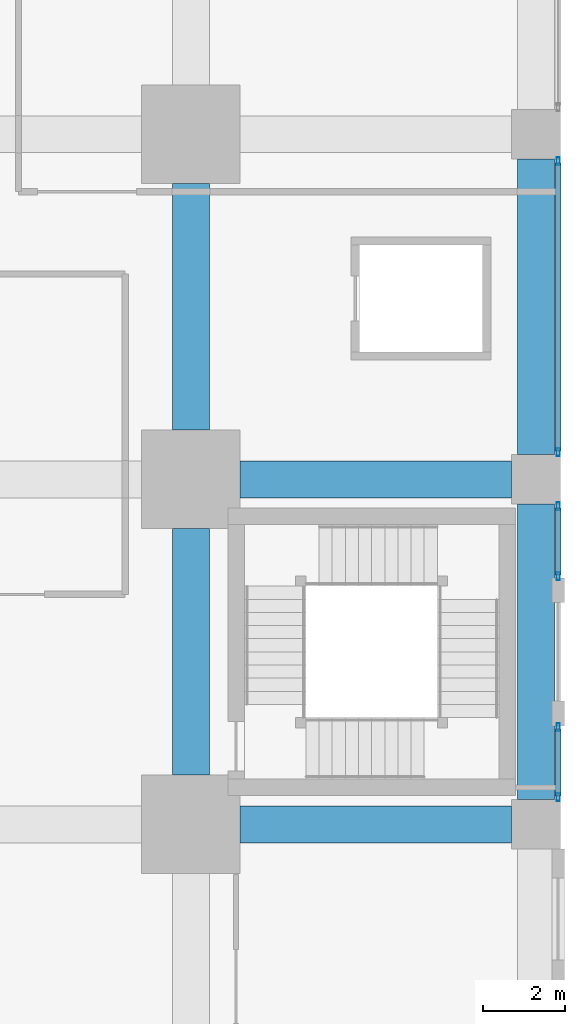
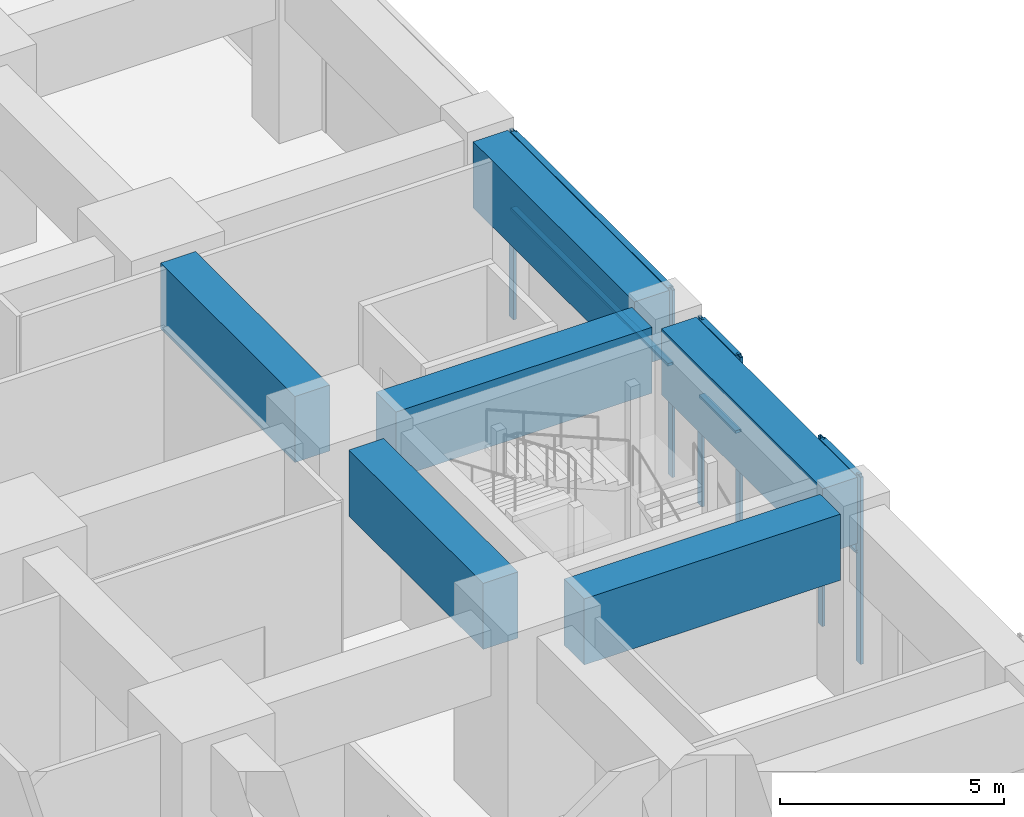
# One storey, part 31 of 81: 12 members, 6 beams, 3 elements without a shape of their own.
"""IFC4 building model written with IfcOpenShell, lengths in metres."""

from ifc_helpers import new_model, si_unit, direction, frame, origin, origin_2d, place, context, subcontext, project, spatial, rectangle, hollow_rectangle, extrude, material, material_profile, profile_set, type_object, element, aggregate, save


model = new_model("IFC4")

# Units and contexts
model_context = context("Model", 3, precision=1e-05, world=origin(), true_north=direction((0.0, 1.0)))
body_context = subcontext(model_context, "Body", "Model", "MODEL_VIEW")
ifc_project = project(units=[si_unit("LENGTHUNIT", "METRE"), si_unit("AREAUNIT", "SQUARE_METRE"), si_unit("VOLUMEUNIT", "CUBIC_METRE"), si_unit("PLANEANGLEUNIT", "RADIAN"), si_unit("MASSUNIT", "GRAM", prefix="KILO")], contexts=[model_context])

# Site, building, storey
site_placement = place(None, origin())
site = spatial("IfcSite", under=ifc_project, at=site_placement, CompositionType="ELEMENT")
building_placement = place(site_placement, origin())
building = spatial("IfcBuilding", under=site, at=building_placement, Name="Rekha Terrace Tower", CompositionType="ELEMENT")
storey_placement = place(building_placement, origin())
storey = spatial("IfcBuildingStorey", under=building, at=storey_placement, Name="L00", CompositionType="ELEMENT", Elevation=0.0)

# Curtain wall, members
ifc_material_1 = material(Name="Aluminium framing", Category="aluminium")
curtain_wall_type = type_object("IfcCurtainWallType", Name="CW4 podium shopfront glazing", PredefinedType="USERDEFINED", material=ifc_material_1)
curtain_wall_1_placement = place(storey_placement, origin())
curtain_wall_1 = element("IfcCurtainWall", 1, at=curtain_wall_1_placement, inside=storey, type_object=curtain_wall_type, Name="CW4 shopfront curtain wall", ObjectType="SHOPFRONT CURTAIN WALL", PredefinedType="USERDEFINED")
ifc_material_2 = material(Name="Aluminium mullion section", Category="aluminium")
ifc_material_profile_1 = material_profile(ifc_material_2, hollow_rectangle(XDim=0.074951171875, YDim=0.199951171875, WallThickness=0.00390625, at=origin_2d()), Name="AL RHS 75x200")
ifc_profile_set_1 = profile_set([ifc_material_profile_1], Name="Aluminium mullion section")
member_type_1 = type_object("IfcMemberType", Name="CW4 mullion RHS 75 x 200", PredefinedType="MULLION", material=ifc_profile_set_1)
member_1_placement = place(storey_placement, frame((76.139892578125, 25.857421875, 0.0), z_axis=(0.0, 0.0, 1.0), x_axis=(-1.0, 0.0, 0.0)))
member_1 = element("IfcMember", 2, at=member_1_placement, type_object=member_type_1, Name="CW4 mullion 1", PredefinedType="MULLION", context=body_context, shape_type="SweptSolid", body=[
    extrude(hollow_rectangle(XDim=0.074951171875, YDim=0.199951171875, WallThickness=0.00390625, at=origin_2d()), origin(), (0.0, 0.0, 1.0), 5.10009765625),
])
member_2_placement = place(storey_placement, frame((76.139892578125, 27.5625, 0.0), z_axis=(0.0, 0.0, 1.0), x_axis=(-1.0, 0.0, 0.0)))
member_2 = element("IfcMember", 3, at=member_2_placement, type_object=member_type_1, Name="CW4 mullion 2", PredefinedType="MULLION", context=body_context, shape_type="SweptSolid", body=[
    extrude(hollow_rectangle(XDim=0.074951171875, YDim=0.199951171875, WallThickness=0.00390625, at=origin_2d()), origin(), (0.0, 0.0, 1.0), 5.10009765625),
])

curtain_wall_2_placement = place(storey_placement, origin())
curtain_wall_2 = element("IfcCurtainWall", 4, at=curtain_wall_2_placement, inside=storey, type_object=curtain_wall_type, Name="CW4 shopfront curtain wall", ObjectType="SHOPFRONT CURTAIN WALL", PredefinedType="USERDEFINED")
member_3_placement = place(storey_placement, frame((76.139892578125, 31.237548828125, 0.0), z_axis=(0.0, 0.0, 1.0), x_axis=(-1.0, 0.0, 0.0)))
member_3 = element("IfcMember", 5, at=member_3_placement, type_object=member_type_1, Name="CW4 mullion 1", PredefinedType="MULLION", context=body_context, shape_type="SweptSolid", body=[
    extrude(hollow_rectangle(XDim=0.074951171875, YDim=0.199951171875, WallThickness=0.00390625, at=origin_2d()), origin(), (0.0, 0.0, 1.0), 5.10009765625),
])
member_4_placement = place(storey_placement, frame((76.139892578125, 32.9423828125, 0.0), z_axis=(0.0, 0.0, 1.0), x_axis=(-1.0, 0.0, 0.0)))
member_4 = element("IfcMember", 6, at=member_4_placement, type_object=member_type_1, Name="CW4 mullion 2", PredefinedType="MULLION", context=body_context, shape_type="SweptSolid", body=[
    extrude(hollow_rectangle(XDim=0.074951171875, YDim=0.199951171875, WallThickness=0.00390625, at=origin_2d()), origin(), (0.0, 0.0, 1.0), 5.10009765625),
])

curtain_wall_3_placement = place(storey_placement, origin())
curtain_wall_3 = element("IfcCurtainWall", 7, at=curtain_wall_3_placement, inside=storey, type_object=curtain_wall_type, Name="CW4 shopfront curtain wall", ObjectType="SHOPFRONT CURTAIN WALL", PredefinedType="USERDEFINED")
member_5_placement = place(storey_placement, frame((76.139892578125, 34.257568359375, 0.0), z_axis=(0.0, 0.0, 1.0), x_axis=(-1.0, 0.0, 0.0)))
member_5 = element("IfcMember", 8, at=member_5_placement, type_object=member_type_1, Name="CW4 mullion 1", PredefinedType="MULLION", context=body_context, shape_type="SweptSolid", body=[
    extrude(hollow_rectangle(XDim=0.074951171875, YDim=0.199951171875, WallThickness=0.00390625, at=origin_2d()), origin(), (0.0, 0.0, 1.0), 5.10009765625),
])
member_6_placement = place(storey_placement, frame((76.139892578125, 41.342529296875, 0.0), z_axis=(0.0, 0.0, 1.0), x_axis=(-1.0, 0.0, 0.0)))
member_6 = element("IfcMember", 9, at=member_6_placement, type_object=member_type_1, Name="CW4 mullion 2", PredefinedType="MULLION", context=body_context, shape_type="SweptSolid", body=[
    extrude(hollow_rectangle(XDim=0.074951171875, YDim=0.199951171875, WallThickness=0.00390625, at=origin_2d()), origin(), (0.0, 0.0, 1.0), 5.10009765625),
])

# Member
ifc_material_3 = material(Name="Aluminium transom section", Category="aluminium")
ifc_material_profile_2 = material_profile(ifc_material_3, hollow_rectangle(XDim=0.14990234375, YDim=0.074951171875, WallThickness=0.0029296875, at=origin_2d()), Name="AL RHS 150x75")
ifc_profile_set_2 = profile_set([ifc_material_profile_2], Name="Aluminium transom section")
member_type_2 = type_object("IfcMemberType", Name="CW4 transom RHS 75 x 150", PredefinedType="USERDEFINED", material=ifc_profile_set_2)
member_7_placement = place(storey_placement, frame((76.139892578125, 25.89501953125, 3.0), z_axis=(0.0, 1.0, 0.0), x_axis=(-1.0, 0.0, 0.0)))
member_7 = element("IfcMember", 10, at=member_7_placement, type_object=member_type_2, Name="CW4 transom 1.2", ObjectType="TRANSOM", PredefinedType="USERDEFINED", context=body_context, shape_type="SweptSolid", body=[
    extrude(hollow_rectangle(XDim=0.14990234375, YDim=0.074951171875, WallThickness=0.0029296875, at=origin_2d()), origin(), (0.0, 0.0, 1.0), 1.6298828125),
])

member_8_placement = place(storey_placement, frame((76.139892578125, 25.89501953125, 5.0625), z_axis=(0.0, 1.0, 0.0), x_axis=(-1.0, 0.0, 0.0)))
member_8 = element("IfcMember", 11, at=member_8_placement, type_object=member_type_2, Name="CW4 transom 1.3", ObjectType="TRANSOM", PredefinedType="USERDEFINED", context=body_context, shape_type="SweptSolid", body=[
    extrude(hollow_rectangle(XDim=0.14990234375, YDim=0.074951171875, WallThickness=0.0029296875, at=origin_2d()), origin(), (0.0, 0.0, 1.0), 1.6298828125),
])

aggregate(curtain_wall_1, [member_1, member_2, member_7, member_8])

member_9_placement = place(storey_placement, frame((76.139892578125, 31.27490234375, 3.0), z_axis=(0.0, 1.0, 0.0), x_axis=(-1.0, 0.0, 0.0)))
member_9 = element("IfcMember", 12, at=member_9_placement, type_object=member_type_2, Name="CW4 transom 1.2", ObjectType="TRANSOM", PredefinedType="USERDEFINED", context=body_context, shape_type="SweptSolid", body=[
    extrude(hollow_rectangle(XDim=0.14990234375, YDim=0.074951171875, WallThickness=0.0029296875, at=origin_2d()), origin(), (0.0, 0.0, 1.0), 1.630126953125),
])

member_10_placement = place(storey_placement, frame((76.139892578125, 31.27490234375, 5.0625), z_axis=(0.0, 1.0, 0.0), x_axis=(-1.0, 0.0, 0.0)))
member_10 = element("IfcMember", 13, at=member_10_placement, type_object=member_type_2, Name="CW4 transom 1.3", ObjectType="TRANSOM", PredefinedType="USERDEFINED", context=body_context, shape_type="SweptSolid", body=[
    extrude(hollow_rectangle(XDim=0.14990234375, YDim=0.074951171875, WallThickness=0.0029296875, at=origin_2d()), origin(), (0.0, 0.0, 1.0), 1.630126953125),
])

aggregate(curtain_wall_2, [member_3, member_4, member_9, member_10])

member_11_placement = place(storey_placement, frame((76.139892578125, 34.294921875, 3.0), z_axis=(0.0, 1.0, 0.0), x_axis=(-1.0, 0.0, 0.0)))
member_11 = element("IfcMember", 14, at=member_11_placement, type_object=member_type_2, Name="CW4 transom 1.2", ObjectType="TRANSOM", PredefinedType="USERDEFINED", context=body_context, shape_type="SweptSolid", body=[
    extrude(hollow_rectangle(XDim=0.14990234375, YDim=0.074951171875, WallThickness=0.0029296875, at=origin_2d()), origin(), (0.0, 0.0, 1.0), 7.010009765625),
])

member_12_placement = place(storey_placement, frame((76.139892578125, 34.294921875, 5.0625), z_axis=(0.0, 1.0, 0.0), x_axis=(-1.0, 0.0, 0.0)))
member_12 = element("IfcMember", 15, at=member_12_placement, type_object=member_type_2, Name="CW4 transom 1.3", ObjectType="TRANSOM", PredefinedType="USERDEFINED", context=body_context, shape_type="SweptSolid", body=[
    extrude(hollow_rectangle(XDim=0.14990234375, YDim=0.074951171875, WallThickness=0.0029296875, at=origin_2d()), origin(), (0.0, 0.0, 1.0), 7.010009765625),
])

aggregate(curtain_wall_3, [member_5, member_6, member_11, member_12])

# Beams
ifc_material_4 = material(Name="Concrete M60", Category="concrete")
ifc_material_profile_3 = material_profile(ifc_material_4, rectangle(XDim=0.89990234375, YDim=1.800048828125, at=origin_2d()), Name="RC 900x1800")
ifc_profile_set_3 = profile_set([ifc_material_profile_3], Name="Concrete M60")
beam_type = type_object("IfcBeamType", Name="G1 900x1800 podium floor beam", PredefinedType="BEAM", material=ifc_profile_set_3)
beam_1_placement = place(storey_placement, frame((68.39990234375, 25.199951171875, 4.199951171875), z_axis=(1.0, 0.0, 0.0), x_axis=(0.0, 1.0, 0.0)))
element("IfcBeam", 16, at=beam_1_placement, inside=storey, type_object=beam_type, Name="Beam G1 9D-10D under L01", PredefinedType="BEAM", context=body_context, shape_type="SweptSolid", body=[
    extrude(rectangle(XDim=0.89990234375, YDim=1.800048828125, at=origin_2d()), origin(), (0.0, 0.0, 1.0), 6.60009765625),
])
beam_2_placement = place(storey_placement, frame((67.199951171875, 26.39990234375, 4.199951171875), z_axis=(0.0, 1.0, 0.0), x_axis=(-1.0, 0.0, 0.0)))
element("IfcBeam", 17, at=beam_2_placement, inside=storey, type_object=beam_type, Name="Beam G1 9D-9E under L01", PredefinedType="BEAM", context=body_context, shape_type="SweptSolid", body=[
    extrude(rectangle(XDim=0.89990234375, YDim=1.800048828125, at=origin_2d()), origin(), (0.0, 0.0, 1.0), 6.0),
])
beam_3_placement = place(storey_placement, frame((68.39990234375, 33.60009765625, 4.199951171875), z_axis=(1.0, 0.0, 0.0), x_axis=(0.0, 1.0, 0.0)))
element("IfcBeam", 18, at=beam_3_placement, inside=storey, type_object=beam_type, Name="Beam G1 9E-10E under L01", PredefinedType="BEAM", context=body_context, shape_type="SweptSolid", body=[
    extrude(rectangle(XDim=0.89990234375, YDim=1.800048828125, at=origin_2d()), origin(), (0.0, 0.0, 1.0), 6.60009765625),
])
beam_4_placement = place(storey_placement, frame((67.199951171875, 34.800048828125, 4.199951171875), z_axis=(0.0, 1.0, 0.0), x_axis=(-1.0, 0.0, 0.0)))
element("IfcBeam", 19, at=beam_4_placement, inside=storey, type_object=beam_type, Name="Beam G1 9E-9F under L01", PredefinedType="BEAM", context=body_context, shape_type="SweptSolid", body=[
    extrude(rectangle(XDim=0.89990234375, YDim=1.800048828125, at=origin_2d()), origin(), (0.0, 0.0, 1.0), 6.0),
])
for number, where, z_axis, x_axis, name in (
    (20, (75.60009765625, 25.800048828125, 4.199951171875), (0.0, 1.0, 0.0), (-1.0, 0.0, 0.0), "Beam G1 10D-10E under L01"),
    (21, (75.60009765625, 34.199951171875, 4.199951171875), (0.0, 1.0, 0.0), (-1.0, 0.0, 0.0), "Beam G1 10E-10F under L01"),
):
    element("IfcBeam", number, at=place(storey_placement, frame(where, z_axis=z_axis, x_axis=x_axis)), inside=storey, type_object=beam_type, Name=name, PredefinedType="BEAM", context=body_context, shape_type="SweptSolid", body=[
        extrude(rectangle(XDim=0.89990234375, YDim=1.800048828125, at=origin_2d()), origin(), (0.0, 0.0, 1.0), 7.199951171875),
    ])

save(model, "model.ifc")
